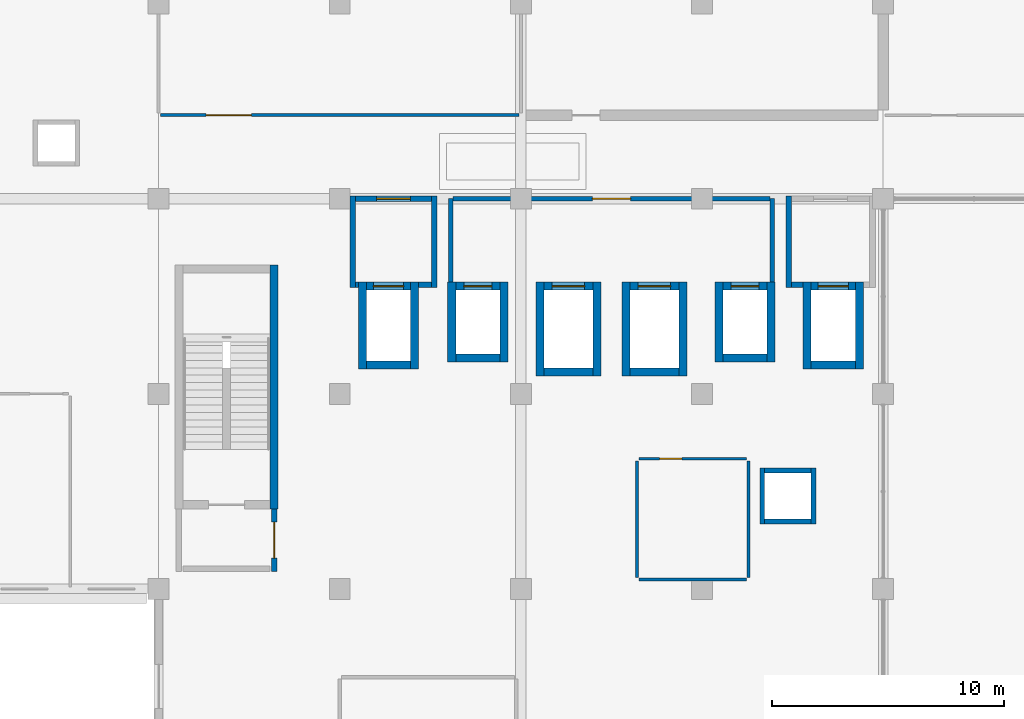
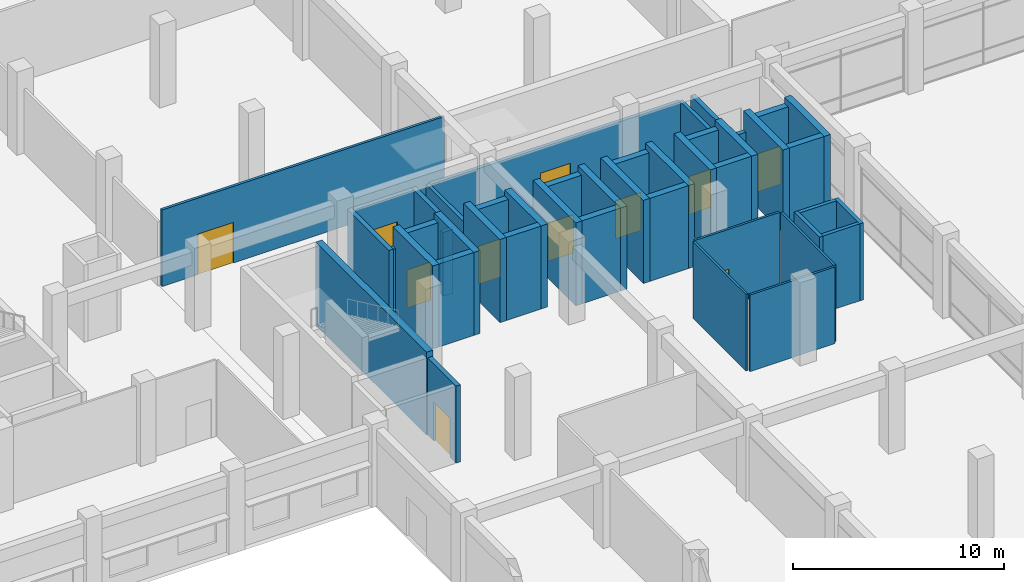
# One storey, part 48 of 74: 45 walls, 11 doors, 11 openings.
"""IFC4 building model written with IfcOpenShell, lengths in metres."""

from ifc_helpers import new_model, si_unit, direction, frame, frame_2d, origin, place, context, subcontext, project, spatial, rectangle, extrude, material, layer, layer_set, type_object, element, fill, save


model = new_model("IFC4")

# Units and contexts
model_context = context("Model", 3, precision=1e-05, world=origin(), true_north=direction((0.0, 1.0)))
body_context = subcontext(model_context, "Body", "Model", "MODEL_VIEW")
ifc_project = project(units=[si_unit("LENGTHUNIT", "METRE"), si_unit("AREAUNIT", "SQUARE_METRE"), si_unit("VOLUMEUNIT", "CUBIC_METRE"), si_unit("PLANEANGLEUNIT", "RADIAN"), si_unit("MASSUNIT", "GRAM", prefix="KILO"), si_unit("THERMODYNAMICTEMPERATUREUNIT", "KELVIN"), si_unit("POWERUNIT", "WATT")], contexts=[model_context])

# Site, building, storey
site_placement = place(None, origin())
site = spatial("IfcSite", under=ifc_project, at=site_placement, CompositionType="ELEMENT")
building_placement = place(site_placement, origin())
building = spatial("IfcBuilding", under=site, at=building_placement, Name="Srebrne Nadtorze General Hospital", CompositionType="ELEMENT")
storey_placement = place(building_placement, origin())
storey = spatial("IfcBuildingStorey", under=building, at=storey_placement, Name="L00", CompositionType="ELEMENT", Elevation=0.0)

# Wall, opening, door
ifc_material_1 = material(Name="Gypsum Healthcare Partition")
ifc_layer_1 = layer(ifc_material_1, 0.139892578125)
ifc_layer_set_1 = layer_set([ifc_layer_1], Name="Gypsum Healthcare Partition")
wall_type_1 = type_object("IfcWallType", Name="Clinical partition 140", PredefinedType="PARTITIONING", material=ifc_layer_set_1)
wall_1_placement = place(storey_placement, frame((23.485107421875, 54.0, 0.0), z_axis=(0.0, 0.0, 1.0), x_axis=(1.0, 0.0, 0.0)))
wall_1 = element("IfcWall", 1, at=wall_1_placement, inside=storey, type_object=wall_type_1, Name="Emergency Department Observation wall WL-INT-L00-1313", PredefinedType="PARTITIONING", context=body_context, shape_type="SweptSolid", body=[
    extrude(rectangle(XDim=15.429931640625, YDim=0.139892578125, at=frame_2d((7.71484375, 0.0))), origin(), (0.0, 0.0, 1.0), 4.429931640625),
])
opening_1_placement = place(wall_1_placement, frame((1.9580078125, 0.0, 0.0)))
opening_1 = element("IfcOpeningElement", 2, at=opening_1_placement, cuts=wall_1, Name="Opening D-L00-0194", PredefinedType="OPENING", context=body_context, shape_type="SweptSolid", body=[
    extrude(rectangle(XDim=1.949951171875, YDim=2.35009765625, at=frame_2d((0.97509765625, 1.175048828125))), frame((0.0, 0.08203125, 0.0), z_axis=(0.0, -1.0, 0.0), x_axis=(1.0, 0.0, 0.0)), (0.0, 0.0, 1.0), 0.163818359375),
])
ifc_material_2 = material(Name="Anodised Aluminium", Category="aluminium")
door_type_1 = type_object("IfcDoorType", Name="Double leaf door 1950x2350", OperationType="DOUBLE_DOOR_SINGLE_SWING", PredefinedType="DOOR", material=ifc_material_2)
door_1_placement = place(opening_1_placement, origin())
door_1 = element("IfcDoor", 3, at=door_1_placement, inside=storey, type_object=door_type_1, Name="Emergency Department Observation door D-L00-0194", OperationType="DOUBLE_DOOR_SINGLE_SWING", OverallHeight=2.35009765625, OverallWidth=1.949951171875, PredefinedType="DOOR", context=body_context, shape_type="SweptSolid", body=[
    extrude(rectangle(XDim=1.949951171875, YDim=2.35009765625, at=frame_2d((0.97509765625, 1.175048828125))), frame((0.0, 0.02490234375, 0.0), z_axis=(0.0, -1.0, 0.0), x_axis=(1.0, 0.0, 0.0)), (0.0, 0.0, 1.0), 0.050048828125),
])
fill(opening_1, door_1)

# Walls
ifc_material_3 = material(Name="Gypsum Healthcare Partition")
ifc_layer_2 = layer(ifc_material_3, 0.199951171875)
ifc_layer_set_2 = layer_set([ifc_layer_2], Name="Gypsum Healthcare Partition")
wall_type_2 = type_object("IfcWallType", Name="Compartment wall 200", PredefinedType="STANDARD", material=ifc_layer_set_2)
for number, where, z_axis, x_axis, name in (
    (4, (35.97998046875, 46.81005859375, 0.0), (0.0, 0.0, 1.0), (0.0, 1.0, 0.0), "Lift lobby side wall WL-INT-L00-0901"),
    (5, (49.820068359375, 46.81005859375, 0.0), (0.0, 0.0, 1.0), (0.0, 1.0, 0.0), "Lift lobby side wall WL-INT-L00-0902"),
):
    element("IfcWall", number, at=place(storey_placement, frame(where, z_axis=z_axis, x_axis=x_axis)), inside=storey, type_object=wall_type_2, Name=name, PredefinedType="STANDARD", context=body_context, shape_type="SweptSolid", body=[
        extrude(rectangle(XDim=3.58984375, YDim=0.199951171875, at=frame_2d((1.794921875, 0.0))), origin(), (0.0, 0.0, 1.0), 3.699951171875),
    ])

# Wall, opening, door
wall_2_placement = place(storey_placement, frame((36.080078125, 50.39990234375, 0.0), z_axis=(0.0, 0.0, 1.0), x_axis=(1.0, 0.0, 0.0)))
wall_2 = element("IfcWall", 6, at=wall_2_placement, inside=storey, type_object=wall_type_2, Name="Lift lobby corridor wall WL-INT-L00-0903", PredefinedType="STANDARD", context=body_context, shape_type="SweptSolid", body=[
    extrude(rectangle(XDim=13.639892578125, YDim=0.199951171875, at=frame_2d((6.81982421875, 0.0))), origin(), (0.0, 0.0, 1.0), 3.699951171875),
])
opening_2_placement = place(wall_2_placement, frame((5.9951171875, 0.0, 0.0)))
opening_2 = element("IfcOpeningElement", 7, at=opening_2_placement, cuts=wall_2, Name="Opening D-L00-0124", PredefinedType="OPENING", context=body_context, shape_type="SweptSolid", body=[
    extrude(rectangle(XDim=1.64990234375, YDim=2.25, at=frame_2d((0.824951171875, 1.125))), frame((0.0, 0.11181640625, 0.0), z_axis=(0.0, -1.0, 0.0), x_axis=(1.0, 0.0, 0.0)), (0.0, 0.0, 1.0), 0.223876953125),
])
ifc_material_4 = material(Name="Anodised Aluminium", Category="aluminium")
door_type_2 = type_object("IfcDoorType", Name="Double leaf door 1650x2250", OperationType="DOUBLE_DOOR_SINGLE_SWING", PredefinedType="DOOR", material=ifc_material_4)
door_2_placement = place(opening_2_placement, origin())
door_2 = element("IfcDoor", 8, at=door_2_placement, inside=storey, type_object=door_type_2, Name="Lift lobby corridor door D-L00-0124", OperationType="DOUBLE_DOOR_SINGLE_SWING", OverallHeight=2.25, OverallWidth=1.64990234375, PredefinedType="DOOR", context=body_context, shape_type="SweptSolid", body=[
    extrude(rectangle(XDim=1.64990234375, YDim=2.25, at=frame_2d((0.824951171875, 1.125))), frame((0.0, 0.02490234375, 0.0), z_axis=(0.0, -1.0, 0.0), x_axis=(1.0, 0.0, 0.0)), (0.0, 0.0, 1.0), 0.050048828125),
])
fill(opening_2, door_2)

# Walls
for number, where, z_axis, x_axis, name in (
    (9, (49.39990234375, 36.39990234375, 0.0), (0.0, 0.0, 1.0), (0.0, 1.0, 0.0), "MEP riser wall WL-INT-L00-0912"),
    (10, (51.60009765625, 36.39990234375, 0.0), (0.0, 0.0, 1.0), (0.0, 1.0, 0.0), "MEP riser wall WL-INT-L00-0913"),
):
    element("IfcWall", number, at=place(storey_placement, frame(where, z_axis=z_axis, x_axis=x_axis)), inside=storey, type_object=wall_type_2, Name=name, PredefinedType="STANDARD", context=body_context, shape_type="SweptSolid", body=[
        extrude(rectangle(XDim=2.400146484375, YDim=0.199951171875, at=frame_2d((1.2001953125, 0.0))), origin(), (0.0, 0.0, 1.0), 4.449951171875),
    ])
for number, where, z_axis, x_axis, name in (
    (11, (49.5, 36.5, 0.0), (0.0, 0.0, 1.0), (1.0, 0.0, 0.0), "MEP riser wall WL-INT-L00-0914"),
    (12, (49.5, 38.699951171875, 0.0), (0.0, 0.0, 1.0), (1.0, 0.0, 0.0), "MEP riser wall WL-INT-L00-0915"),
):
    element("IfcWall", number, at=place(storey_placement, frame(where, z_axis=z_axis, x_axis=x_axis)), inside=storey, type_object=wall_type_2, Name=name, PredefinedType="STANDARD", context=body_context, shape_type="SweptSolid", body=[
        extrude(rectangle(XDim=2.0, YDim=0.199951171875, at=frame_2d((1.0, 0.0))), origin(), (0.0, 0.0, 1.0), 4.449951171875),
    ])

# Wall, opening, door
ifc_material_5 = material(Name="Gypsum Healthcare Partition")
ifc_layer_3 = layer(ifc_material_5, 0.239990234375)
ifc_layer_set_3 = layer_set([ifc_layer_3], Name="Gypsum Healthcare Partition")
wall_type_3 = type_object("IfcWallType", Name="Corridor fire wall 240", PredefinedType="STANDARD", material=ifc_layer_set_3)
wall_3_placement = place(storey_placement, frame((28.375, 34.35498046875, 0.0), z_axis=(0.0, 0.0, 1.0), x_axis=(0.0, 1.0, 0.0)))
wall_3 = element("IfcWall", 13, at=wall_3_placement, inside=storey, type_object=wall_type_3, Name="Fire lobby wall ST-01 WL-INT-L00-0070", PredefinedType="STANDARD", context=body_context, shape_type="SweptSolid", body=[
    extrude(rectangle(XDim=2.695068359375, YDim=0.239990234375, at=frame_2d((1.34765625, 0.0))), origin(), (0.0, 0.0, 1.0), 4.449951171875),
])
opening_3_placement = place(wall_3_placement, frame((0.572509765625, 0.0, 0.0)))
opening_3 = element("IfcOpeningElement", 14, at=opening_3_placement, cuts=wall_3, Name="Opening D-L00-0018", PredefinedType="OPENING", context=body_context, shape_type="SweptSolid", body=[
    extrude(rectangle(XDim=1.550048828125, YDim=2.25, at=frame_2d((0.77490234375, 1.125))), frame((0.0, 0.1318359375, 0.0), z_axis=(0.0, -1.0, 0.0), x_axis=(1.0, 0.0, 0.0)), (0.0, 0.0, 1.0), 0.263916015625),
])
ifc_material_6 = material(Name="Anodised Aluminium", Category="aluminium")
door_type_3 = type_object("IfcDoorType", Name="Double leaf door 1550x2250", OperationType="DOUBLE_DOOR_SINGLE_SWING", PredefinedType="DOOR", material=ifc_material_6)
door_3_placement = place(opening_3_placement, frame((1.550048828125, 0.0, 0.0), z_axis=(0.0, 0.0, 1.0), x_axis=(-1.0, 0.0, 0.0)))
door_3 = element("IfcDoor", 15, at=door_3_placement, inside=storey, type_object=door_type_3, Name="Fire lobby door ST-01 D-L00-0018", OperationType="DOUBLE_DOOR_SINGLE_SWING", OverallHeight=2.25, OverallWidth=1.550048828125, PredefinedType="DOOR", context=body_context, shape_type="SweptSolid", body=[
    extrude(rectangle(XDim=1.550048828125, YDim=2.25, at=frame_2d((0.77490234375, 1.125))), frame((0.0, 0.02490234375, 0.0), z_axis=(0.0, -1.0, 0.0), x_axis=(1.0, 0.0, 0.0)), (0.0, 0.0, 1.0), 0.050048828125),
])
fill(opening_3, door_3)

# Walls
for number, where, z_axis, x_axis, name in (
    (16, (31.760009765625, 46.570068359375, 0.0), (0.0, 0.0, 1.0), (0.0, 1.0, 0.0), "FF lift lobby wall WL-INT-L00-0891"),
    (17, (35.27001953125, 46.570068359375, 0.0), (0.0, 0.0, 1.0), (0.0, 1.0, 0.0), "FF lift lobby wall WL-INT-L00-0892"),
):
    element("IfcWall", number, at=place(storey_placement, frame(where, z_axis=z_axis, x_axis=x_axis)), inside=storey, type_object=wall_type_3, Name=name, PredefinedType="STANDARD", context=body_context, shape_type="SweptSolid", body=[
        extrude(rectangle(XDim=3.949951171875, YDim=0.239990234375, at=frame_2d((1.97509765625, 0.0))), origin(), (0.0, 0.0, 1.0), 3.699951171875),
    ])
wall_4_placement = place(storey_placement, frame((31.8798828125, 46.68994140625, 0.0), z_axis=(0.0, 0.0, 1.0), x_axis=(1.0, 0.0, 0.0)))
element("IfcWall", 18, at=wall_4_placement, inside=storey, type_object=wall_type_3, Name="FF lift lobby return wall WL-INT-L00-0893", PredefinedType="STANDARD", context=body_context, shape_type="SweptSolid", body=[
    extrude(rectangle(XDim=0.1201171875, YDim=0.239990234375, at=frame_2d((0.06005859375, 0.0))), origin(), (0.0, 0.0, 1.0), 3.699951171875),
])
wall_5_placement = place(storey_placement, frame((34.60009765625, 46.68994140625, 0.0), z_axis=(0.0, 0.0, 1.0), x_axis=(1.0, 0.0, 0.0)))
element("IfcWall", 19, at=wall_5_placement, inside=storey, type_object=wall_type_3, Name="FF lift lobby return wall WL-INT-L00-0894", PredefinedType="STANDARD", context=body_context, shape_type="SweptSolid", body=[
    extrude(rectangle(XDim=0.5498046875, YDim=0.239990234375, at=frame_2d((0.27490234375, 0.0))), origin(), (0.0, 0.0, 1.0), 3.699951171875),
])

# Wall, opening, door
wall_6_placement = place(storey_placement, frame((31.8798828125, 50.39990234375, 0.0), z_axis=(0.0, 0.0, 1.0), x_axis=(1.0, 0.0, 0.0)))
wall_6 = element("IfcWall", 20, at=wall_6_placement, inside=storey, type_object=wall_type_3, Name="FF lift lobby front wall WL-INT-L00-0895", PredefinedType="STANDARD", context=body_context, shape_type="SweptSolid", body=[
    extrude(rectangle(XDim=3.27001953125, YDim=0.239990234375, at=frame_2d((1.635009765625, 0.0))), origin(), (0.0, 0.0, 1.0), 3.699951171875),
])
opening_4_placement = place(wall_6_placement, frame((0.909912109375, 0.0, 0.0)))
opening_4 = element("IfcOpeningElement", 21, at=opening_4_placement, cuts=wall_6, Name="Opening D-L00-0122", PredefinedType="OPENING", context=body_context, shape_type="SweptSolid", body=[
    extrude(rectangle(XDim=1.449951171875, YDim=2.199951171875, at=frame_2d((0.72509765625, 1.10009765625))), frame((0.0, 0.1318359375, 0.0), z_axis=(0.0, -1.0, 0.0), x_axis=(1.0, 0.0, 0.0)), (0.0, 0.0, 1.0), 0.263916015625),
])
ifc_material_7 = material(Name="Anodised Aluminium", Category="aluminium")
door_type_4 = type_object("IfcDoorType", Name="Double leaf door 1450x2200", OperationType="DOUBLE_DOOR_SINGLE_SWING", PredefinedType="DOOR", material=ifc_material_7)
door_4_placement = place(opening_4_placement, origin())
door_4 = element("IfcDoor", 22, at=door_4_placement, inside=storey, type_object=door_type_4, Name="Firefighting lift lobby door D-L00-0122", OperationType="DOUBLE_DOOR_SINGLE_SWING", OverallHeight=2.199951171875, OverallWidth=1.449951171875, PredefinedType="DOOR", context=body_context, shape_type="SweptSolid", body=[
    extrude(rectangle(XDim=1.449951171875, YDim=2.199951171875, at=frame_2d((0.72509765625, 1.10009765625))), frame((0.0, 0.02490234375, 0.0), z_axis=(0.0, -1.0, 0.0), x_axis=(1.0, 0.0, 0.0)), (0.0, 0.0, 1.0), 0.050048828125),
])
fill(opening_4, door_4)

# Walls
wall_7_placement = place(storey_placement, frame((50.530029296875, 46.570068359375, 0.0), z_axis=(0.0, 0.0, 1.0), x_axis=(0.0, 1.0, 0.0)))
element("IfcWall", 23, at=wall_7_placement, inside=storey, type_object=wall_type_3, Name="FF lift lobby wall WL-INT-L00-0896", PredefinedType="STANDARD", context=body_context, shape_type="SweptSolid", body=[
    extrude(rectangle(XDim=3.949951171875, YDim=0.239990234375, at=frame_2d((1.97509765625, 0.0))), origin(), (0.0, 0.0, 1.0), 3.699951171875),
])
wall_8_placement = place(storey_placement, frame((50.64990234375, 46.68994140625, 0.0), z_axis=(0.0, 0.0, 1.0), x_axis=(1.0, 0.0, 0.0)))
element("IfcWall", 24, at=wall_8_placement, inside=storey, type_object=wall_type_3, Name="FF lift lobby return wall WL-INT-L00-0898", PredefinedType="STANDARD", context=body_context, shape_type="SweptSolid", body=[
    extrude(rectangle(XDim=0.5, YDim=0.239990234375, at=frame_2d((0.25, 0.0))), origin(), (0.0, 0.0, 1.0), 3.699951171875),
])

# Wall, opening, door
ifc_material_8 = material(Name="Gypsum Healthcare Partition")
ifc_layer_4 = layer(ifc_material_8, 0.1201171875)
ifc_layer_set_4 = layer_set([ifc_layer_4], Name="Gypsum Healthcare Partition")
wall_type_4 = type_object("IfcWallType", Name="En-suite partition 120", PredefinedType="PARTITIONING", material=ifc_layer_set_4)
wall_9_placement = place(storey_placement, frame((44.0849609375, 39.199951171875, 0.0), z_axis=(0.0, 0.0, 1.0), x_axis=(1.0, 0.0, 0.0)))
wall_9 = element("IfcWall", 25, at=wall_9_placement, inside=storey, type_object=wall_type_4, Name="Accessible WC wall WL-INT-L00-1377", PredefinedType="PARTITIONING", context=body_context, shape_type="SweptSolid", body=[
    extrude(rectangle(XDim=4.630126953125, YDim=0.1201171875, at=frame_2d((2.31494140625, 0.0))), origin(), (0.0, 0.0, 1.0), 4.429931640625),
])
opening_5_placement = place(wall_9_placement, frame((0.884033203125, 0.0, 0.0)))
opening_5 = element("IfcOpeningElement", 26, at=opening_5_placement, cuts=wall_9, Name="Opening D-L00-0210", PredefinedType="OPENING", context=body_context, shape_type="SweptSolid", body=[
    extrude(rectangle(XDim=0.9599609375, YDim=2.1201171875, at=frame_2d((0.47998046875, 1.06005859375))), frame((0.0, 0.072021484375, 0.0), z_axis=(0.0, -1.0, 0.0), x_axis=(1.0, 0.0, 0.0)), (0.0, 0.0, 1.0), 0.14404296875),
])
ifc_material_9 = material(Name="Anodised Aluminium", Category="aluminium")
door_type_5 = type_object("IfcDoorType", Name="Single leaf door 960x2120", OperationType="NOTDEFINED", PredefinedType="DOOR", material=ifc_material_9)
door_5_placement = place(opening_5_placement, frame((0.9599609375, 0.0, 0.0), z_axis=(0.0, 0.0, 1.0), x_axis=(-1.0, 0.0, 0.0)))
door_5 = element("IfcDoor", 27, at=door_5_placement, inside=storey, type_object=door_type_5, Name="Accessible WC door D-L00-0210", OperationType="SINGLE_SWING_RIGHT", OverallHeight=2.1201171875, OverallWidth=0.9599609375, PredefinedType="DOOR", context=body_context, shape_type="SweptSolid", body=[
    extrude(rectangle(XDim=0.9599609375, YDim=2.1201171875, at=frame_2d((0.47998046875, 1.06005859375))), frame((0.0, 0.02490234375, 0.0), z_axis=(0.0, -1.0, 0.0), x_axis=(1.0, 0.0, 0.0)), (0.0, 0.0, 1.0), 0.050048828125),
])
fill(opening_5, door_5)

# Walls
wall_10_placement = place(storey_placement, frame((44.0849609375, 34.0, 0.0), z_axis=(0.0, 0.0, 1.0), x_axis=(1.0, 0.0, 0.0)))
element("IfcWall", 28, at=wall_10_placement, inside=storey, type_object=wall_type_4, Name="Accessible WC wall WL-INT-L00-1378", PredefinedType="PARTITIONING", context=body_context, shape_type="SweptSolid", body=[
    extrude(rectangle(XDim=4.630126953125, YDim=0.1201171875, at=frame_2d((2.31494140625, 0.0))), origin(), (0.0, 0.0, 1.0), 4.429931640625),
])
for number, where, z_axis, x_axis, name in (
    (29, (44.0, 34.0849609375, 0.0), (0.0, 0.0, 1.0), (0.0, 1.0, 0.0), "Accessible WC wall WL-INT-L00-1379"),
    (30, (48.800048828125, 34.0849609375, 0.0), (0.0, 0.0, 1.0), (0.0, 1.0, 0.0), "Accessible WC wall WL-INT-L00-1380"),
):
    element("IfcWall", number, at=place(storey_placement, frame(where, z_axis=z_axis, x_axis=x_axis)), inside=storey, type_object=wall_type_4, Name=name, PredefinedType="PARTITIONING", context=body_context, shape_type="SweptSolid", body=[
        extrude(rectangle(XDim=5.030029296875, YDim=0.1201171875, at=frame_2d((2.51513671875, 0.0))), origin(), (0.0, 0.0, 1.0), 4.429931640625),
    ])
ifc_material_10 = material(Name="Concrete C40/50", Category="concrete")
ifc_layer_5 = layer(ifc_material_10, 0.35009765625)
ifc_layer_set_5 = layer_set([ifc_layer_5], Name="Concrete C40/50")
wall_type_5 = type_object("IfcWallType", Name="Shear core wall 350", PredefinedType="SHEAR", material=ifc_layer_set_5)
wall_11_placement = place(storey_placement, frame((28.375, 37.050048828125, 0.0), z_axis=(0.0, 0.0, 1.0), x_axis=(0.0, 1.0, 0.0)))
element("IfcWall", 31, at=wall_11_placement, inside=storey, type_object=wall_type_5, Name="Stair core wall ST-01 WL-INT-L00-0066", PredefinedType="SHEAR", context=body_context, shape_type="SweptSolid", body=[
    extrude(rectangle(XDim=10.5, YDim=0.35009765625, at=frame_2d((5.25, 0.0))), origin(), (0.0, 0.0, 1.0), 4.800048828125),
])
for number, where, z_axis, x_axis, name in (
    (32, (32.175048828125, 43.06005859375, 0.0), (0.0, 0.0, 1.0), (0.0, 1.0, 0.0), "Lift shaft wall FL-01 WL-INT-L00-0470"),
    (33, (34.425048828125, 43.06005859375, 0.0), (0.0, 0.0, 1.0), (0.0, 1.0, 0.0), "Lift shaft wall FL-01 WL-INT-L00-0471"),
):
    element("IfcWall", number, at=place(storey_placement, frame(where, z_axis=z_axis, x_axis=x_axis)), inside=storey, type_object=wall_type_5, Name=name, PredefinedType="SHEAR", context=body_context, shape_type="SweptSolid", body=[
        extrude(rectangle(XDim=3.75, YDim=0.35009765625, at=frame_2d((1.875, 0.0))), origin(), (0.0, 0.0, 1.0), 4.800048828125),
    ])
wall_12_placement = place(storey_placement, frame((32.35009765625, 43.235107421875, 0.0), z_axis=(0.0, 0.0, 1.0), x_axis=(1.0, 0.0, 0.0)))
element("IfcWall", 34, at=wall_12_placement, inside=storey, type_object=wall_type_5, Name="Lift shaft back wall FL-01 WL-INT-L00-0472", PredefinedType="SHEAR", context=body_context, shape_type="SweptSolid", body=[
    extrude(rectangle(XDim=1.89990234375, YDim=0.35009765625, at=frame_2d((0.949951171875, 0.0))), origin(), (0.0, 0.0, 1.0), 4.800048828125),
])

# Wall, opening, door
wall_13_placement = place(storey_placement, frame((32.35009765625, 46.635009765625, 0.0), z_axis=(0.0, 0.0, 1.0), x_axis=(1.0, 0.0, 0.0)))
wall_13 = element("IfcWall", 35, at=wall_13_placement, inside=storey, type_object=wall_type_5, Name="Lift shaft front wall FL-01 WL-INT-L00-0473", PredefinedType="SHEAR", context=body_context, shape_type="SweptSolid", body=[
    extrude(rectangle(XDim=1.89990234375, YDim=0.35009765625, at=frame_2d((0.949951171875, 0.0))), origin(), (0.0, 0.0, 1.0), 4.449951171875),
])
opening_6_placement = place(wall_13_placement, frame((0.300048828125, 0.0, 0.0)))
opening_6 = element("IfcOpeningElement", 36, at=opening_6_placement, cuts=wall_13, Name="Opening LD-L00-002", PredefinedType="OPENING", context=body_context, shape_type="SweptSolid", body=[
    extrude(rectangle(XDim=1.300048828125, YDim=2.199951171875, at=frame_2d((0.64990234375, 1.10009765625))), frame((0.0, 0.18701171875, 0.0), z_axis=(0.0, -1.0, 0.0), x_axis=(1.0, 0.0, 0.0)), (0.0, 0.0, 1.0), 0.3740234375),
])
ifc_material_11 = material(Name="Anodised Aluminium", Category="aluminium")
door_type_6 = type_object("IfcDoorType", Name="Sliding lift door 1300x2200", OperationType="SLIDING_TO_LEFT", PredefinedType="DOOR", material=ifc_material_11)
door_6_placement = place(opening_6_placement, origin())
door_6 = element("IfcDoor", 37, at=door_6_placement, inside=storey, type_object=door_type_6, Name="Lift Landing Door LD-L00-002", OperationType="SLIDING_TO_LEFT", OverallHeight=2.199951171875, OverallWidth=1.300048828125, PredefinedType="DOOR", context=body_context, shape_type="SweptSolid", body=[
    extrude(rectangle(XDim=1.300048828125, YDim=2.199951171875, at=frame_2d((0.64990234375, 1.10009765625))), frame((0.0, 0.02490234375, 0.0), z_axis=(0.0, -1.0, 0.0), x_axis=(1.0, 0.0, 0.0)), (0.0, 0.0, 1.0), 0.050048828125),
])
fill(opening_6, door_6)

# Walls
for number, where, z_axis, x_axis, name in (
    (38, (36.02490234375, 43.360107421875, 0.0), (0.0, 0.0, 1.0), (0.0, 1.0, 0.0), "Lift shaft wall LP-01 WL-INT-L00-0510"),
    (39, (38.27490234375, 43.360107421875, 0.0), (0.0, 0.0, 1.0), (0.0, 1.0, 0.0), "Lift shaft wall LP-01 WL-INT-L00-0511"),
):
    element("IfcWall", number, at=place(storey_placement, frame(where, z_axis=z_axis, x_axis=x_axis)), inside=storey, type_object=wall_type_5, Name=name, PredefinedType="SHEAR", context=body_context, shape_type="SweptSolid", body=[
        extrude(rectangle(XDim=3.449951171875, YDim=0.35009765625, at=frame_2d((1.72509765625, 0.0))), origin(), (0.0, 0.0, 1.0), 4.800048828125),
    ])
wall_14_placement = place(storey_placement, frame((36.199951171875, 43.534912109375, 0.0), z_axis=(0.0, 0.0, 1.0), x_axis=(1.0, 0.0, 0.0)))
element("IfcWall", 40, at=wall_14_placement, inside=storey, type_object=wall_type_5, Name="Lift shaft back wall LP-01 WL-INT-L00-0512", PredefinedType="SHEAR", context=body_context, shape_type="SweptSolid", body=[
    extrude(rectangle(XDim=1.900146484375, YDim=0.35009765625, at=frame_2d((0.9501953125, 0.0))), origin(), (0.0, 0.0, 1.0), 4.800048828125),
])

# Wall, opening, door
wall_15_placement = place(storey_placement, frame((36.199951171875, 46.635009765625, 0.0), z_axis=(0.0, 0.0, 1.0), x_axis=(1.0, 0.0, 0.0)))
wall_15 = element("IfcWall", 41, at=wall_15_placement, inside=storey, type_object=wall_type_5, Name="Lift shaft front wall LP-01 WL-INT-L00-0513", PredefinedType="SHEAR", context=body_context, shape_type="SweptSolid", body=[
    extrude(rectangle(XDim=1.900146484375, YDim=0.35009765625, at=frame_2d((0.9501953125, 0.0))), origin(), (0.0, 0.0, 1.0), 4.449951171875),
])
opening_7_placement = place(wall_15_placement, frame((0.35009765625, 0.0, 0.0)))
opening_7 = element("IfcOpeningElement", 42, at=opening_7_placement, cuts=wall_15, Name="Opening LD-L00-012", PredefinedType="OPENING", context=body_context, shape_type="SweptSolid", body=[
    extrude(rectangle(XDim=1.199951171875, YDim=2.199951171875, at=frame_2d((0.60009765625, 1.10009765625))), frame((0.0, 0.18701171875, 0.0), z_axis=(0.0, -1.0, 0.0), x_axis=(1.0, 0.0, 0.0)), (0.0, 0.0, 1.0), 0.3740234375),
])
ifc_material_12 = material(Name="Anodised Aluminium", Category="aluminium")
door_type_7 = type_object("IfcDoorType", Name="Sliding lift door 1200x2200", OperationType="SLIDING_TO_LEFT", PredefinedType="DOOR", material=ifc_material_12)
door_7_placement = place(opening_7_placement, origin())
door_7 = element("IfcDoor", 43, at=door_7_placement, inside=storey, type_object=door_type_7, Name="Lift Landing Door LD-L00-012", OperationType="SLIDING_TO_LEFT", OverallHeight=2.199951171875, OverallWidth=1.199951171875, PredefinedType="DOOR", context=body_context, shape_type="SweptSolid", body=[
    extrude(rectangle(XDim=1.199951171875, YDim=2.199951171875, at=frame_2d((0.60009765625, 1.10009765625))), frame((0.0, 0.02490234375, 0.0), z_axis=(0.0, -1.0, 0.0), x_axis=(1.0, 0.0, 0.0)), (0.0, 0.0, 1.0), 0.050048828125),
])
fill(opening_7, door_7)

# Walls
for number, where, z_axis, x_axis, name in (
    (44, (39.824951171875, 42.760009765625, 0.0), (0.0, 0.0, 1.0), (0.0, 1.0, 0.0), "Lift shaft wall LS-01 WL-INT-L00-0546"),
    (45, (42.27490234375, 42.760009765625, 0.0), (0.0, 0.0, 1.0), (0.0, 1.0, 0.0), "Lift shaft wall LS-01 WL-INT-L00-0547"),
):
    element("IfcWall", number, at=place(storey_placement, frame(where, z_axis=z_axis, x_axis=x_axis)), inside=storey, type_object=wall_type_5, Name=name, PredefinedType="SHEAR", context=body_context, shape_type="SweptSolid", body=[
        extrude(rectangle(XDim=4.050048828125, YDim=0.35009765625, at=frame_2d((2.02490234375, 0.0))), origin(), (0.0, 0.0, 1.0), 4.800048828125),
    ])
wall_16_placement = place(storey_placement, frame((40.0, 42.93505859375, 0.0), z_axis=(0.0, 0.0, 1.0), x_axis=(1.0, 0.0, 0.0)))
element("IfcWall", 46, at=wall_16_placement, inside=storey, type_object=wall_type_5, Name="Lift shaft back wall LS-01 WL-INT-L00-0548", PredefinedType="SHEAR", context=body_context, shape_type="SweptSolid", body=[
    extrude(rectangle(XDim=2.10009765625, YDim=0.35009765625, at=frame_2d((1.050048828125, 0.0))), origin(), (0.0, 0.0, 1.0), 4.800048828125),
])

# Wall, opening, door
wall_17_placement = place(storey_placement, frame((40.0, 46.635009765625, 0.0), z_axis=(0.0, 0.0, 1.0), x_axis=(1.0, 0.0, 0.0)))
wall_17 = element("IfcWall", 47, at=wall_17_placement, inside=storey, type_object=wall_type_5, Name="Lift shaft front wall LS-01 WL-INT-L00-0549", PredefinedType="SHEAR", context=body_context, shape_type="SweptSolid", body=[
    extrude(rectangle(XDim=2.10009765625, YDim=0.35009765625, at=frame_2d((1.050048828125, 0.0))), origin(), (0.0, 0.0, 1.0), 4.449951171875),
])
opening_8_placement = place(wall_17_placement, frame((0.35009765625, 0.0, 0.0)))
opening_8 = element("IfcOpeningElement", 48, at=opening_8_placement, cuts=wall_17, Name="Opening LD-L00-021", PredefinedType="OPENING", context=body_context, shape_type="SweptSolid", body=[
    extrude(rectangle(XDim=1.39990234375, YDim=2.199951171875, at=frame_2d((0.699951171875, 1.10009765625))), frame((0.0, 0.18701171875, 0.0), z_axis=(0.0, -1.0, 0.0), x_axis=(1.0, 0.0, 0.0)), (0.0, 0.0, 1.0), 0.3740234375),
])
ifc_material_13 = material(Name="Anodised Aluminium", Category="aluminium")
door_type_8 = type_object("IfcDoorType", Name="Sliding lift door 1400x2200", OperationType="SLIDING_TO_LEFT", PredefinedType="DOOR", material=ifc_material_13)
door_8_placement = place(opening_8_placement, origin())
door_8 = element("IfcDoor", 49, at=door_8_placement, inside=storey, type_object=door_type_8, Name="Lift Landing Door LD-L00-021", OperationType="SLIDING_TO_LEFT", OverallHeight=2.199951171875, OverallWidth=1.39990234375, PredefinedType="DOOR", context=body_context, shape_type="SweptSolid", body=[
    extrude(rectangle(XDim=1.39990234375, YDim=2.199951171875, at=frame_2d((0.699951171875, 1.10009765625))), frame((0.0, 0.02490234375, 0.0), z_axis=(0.0, -1.0, 0.0), x_axis=(1.0, 0.0, 0.0)), (0.0, 0.0, 1.0), 0.050048828125),
])
fill(opening_8, door_8)

# Walls
for number, where, z_axis, x_axis, name in (
    (50, (43.52490234375, 42.760009765625, 0.0), (0.0, 0.0, 1.0), (0.0, 1.0, 0.0), "Lift shaft wall LS-02 WL-INT-L00-0586"),
    (51, (45.97509765625, 42.760009765625, 0.0), (0.0, 0.0, 1.0), (0.0, 1.0, 0.0), "Lift shaft wall LS-02 WL-INT-L00-0587"),
):
    element("IfcWall", number, at=place(storey_placement, frame(where, z_axis=z_axis, x_axis=x_axis)), inside=storey, type_object=wall_type_5, Name=name, PredefinedType="SHEAR", context=body_context, shape_type="SweptSolid", body=[
        extrude(rectangle(XDim=4.050048828125, YDim=0.35009765625, at=frame_2d((2.02490234375, 0.0))), origin(), (0.0, 0.0, 1.0), 4.800048828125),
    ])
wall_18_placement = place(storey_placement, frame((43.699951171875, 42.93505859375, 0.0), z_axis=(0.0, 0.0, 1.0), x_axis=(1.0, 0.0, 0.0)))
element("IfcWall", 52, at=wall_18_placement, inside=storey, type_object=wall_type_5, Name="Lift shaft back wall LS-02 WL-INT-L00-0588", PredefinedType="SHEAR", context=body_context, shape_type="SweptSolid", body=[
    extrude(rectangle(XDim=2.10009765625, YDim=0.35009765625, at=frame_2d((1.050048828125, 0.0))), origin(), (0.0, 0.0, 1.0), 4.800048828125),
])

# Wall, opening, door
wall_19_placement = place(storey_placement, frame((43.699951171875, 46.635009765625, 0.0), z_axis=(0.0, 0.0, 1.0), x_axis=(1.0, 0.0, 0.0)))
wall_19 = element("IfcWall", 53, at=wall_19_placement, inside=storey, type_object=wall_type_5, Name="Lift shaft front wall LS-02 WL-INT-L00-0589", PredefinedType="SHEAR", context=body_context, shape_type="SweptSolid", body=[
    extrude(rectangle(XDim=2.10009765625, YDim=0.35009765625, at=frame_2d((1.050048828125, 0.0))), origin(), (0.0, 0.0, 1.0), 4.449951171875),
])
opening_9_placement = place(wall_19_placement, frame((0.35009765625, 0.0, 0.0)))
opening_9 = element("IfcOpeningElement", 54, at=opening_9_placement, cuts=wall_19, Name="Opening LD-L00-031", PredefinedType="OPENING", context=body_context, shape_type="SweptSolid", body=[
    extrude(rectangle(XDim=1.39990234375, YDim=2.199951171875, at=frame_2d((0.699951171875, 1.10009765625))), frame((0.0, 0.18701171875, 0.0), z_axis=(0.0, -1.0, 0.0), x_axis=(1.0, 0.0, 0.0)), (0.0, 0.0, 1.0), 0.3740234375),
])
door_9_placement = place(opening_9_placement, origin())
door_9 = element("IfcDoor", 55, at=door_9_placement, inside=storey, type_object=door_type_8, Name="Lift Landing Door LD-L00-031", OperationType="SLIDING_TO_LEFT", OverallHeight=2.199951171875, OverallWidth=1.39990234375, PredefinedType="DOOR", context=body_context, shape_type="SweptSolid", body=[
    extrude(rectangle(XDim=1.39990234375, YDim=2.199951171875, at=frame_2d((0.699951171875, 1.10009765625))), frame((0.0, 0.02490234375, 0.0), z_axis=(0.0, -1.0, 0.0), x_axis=(1.0, 0.0, 0.0)), (0.0, 0.0, 1.0), 0.050048828125),
])
fill(opening_9, door_9)

# Walls
for number, where, z_axis, x_axis, name in (
    (56, (47.52490234375, 43.360107421875, 0.0), (0.0, 0.0, 1.0), (0.0, 1.0, 0.0), "Lift shaft wall LP-02 WL-INT-L00-0626"),
    (57, (49.77490234375, 43.360107421875, 0.0), (0.0, 0.0, 1.0), (0.0, 1.0, 0.0), "Lift shaft wall LP-02 WL-INT-L00-0627"),
):
    element("IfcWall", number, at=place(storey_placement, frame(where, z_axis=z_axis, x_axis=x_axis)), inside=storey, type_object=wall_type_5, Name=name, PredefinedType="SHEAR", context=body_context, shape_type="SweptSolid", body=[
        extrude(rectangle(XDim=3.449951171875, YDim=0.35009765625, at=frame_2d((1.72509765625, 0.0))), origin(), (0.0, 0.0, 1.0), 4.800048828125),
    ])
wall_20_placement = place(storey_placement, frame((47.699951171875, 43.534912109375, 0.0), z_axis=(0.0, 0.0, 1.0), x_axis=(1.0, 0.0, 0.0)))
element("IfcWall", 58, at=wall_20_placement, inside=storey, type_object=wall_type_5, Name="Lift shaft back wall LP-02 WL-INT-L00-0628", PredefinedType="SHEAR", context=body_context, shape_type="SweptSolid", body=[
    extrude(rectangle(XDim=1.900146484375, YDim=0.35009765625, at=frame_2d((0.9501953125, 0.0))), origin(), (0.0, 0.0, 1.0), 4.800048828125),
])

# Wall, opening, door
wall_21_placement = place(storey_placement, frame((47.699951171875, 46.635009765625, 0.0), z_axis=(0.0, 0.0, 1.0), x_axis=(1.0, 0.0, 0.0)))
wall_21 = element("IfcWall", 59, at=wall_21_placement, inside=storey, type_object=wall_type_5, Name="Lift shaft front wall LP-02 WL-INT-L00-0629", PredefinedType="SHEAR", context=body_context, shape_type="SweptSolid", body=[
    extrude(rectangle(XDim=1.900146484375, YDim=0.35009765625, at=frame_2d((0.9501953125, 0.0))), origin(), (0.0, 0.0, 1.0), 4.449951171875),
])
opening_10_placement = place(wall_21_placement, frame((0.35009765625, 0.0, 0.0)))
opening_10 = element("IfcOpeningElement", 60, at=opening_10_placement, cuts=wall_21, Name="Opening LD-L00-041", PredefinedType="OPENING", context=body_context, shape_type="SweptSolid", body=[
    extrude(rectangle(XDim=1.199951171875, YDim=2.199951171875, at=frame_2d((0.60009765625, 1.10009765625))), frame((0.0, 0.18701171875, 0.0), z_axis=(0.0, -1.0, 0.0), x_axis=(1.0, 0.0, 0.0)), (0.0, 0.0, 1.0), 0.3740234375),
])
door_10_placement = place(opening_10_placement, origin())
door_10 = element("IfcDoor", 61, at=door_10_placement, inside=storey, type_object=door_type_7, Name="Lift Landing Door LD-L00-041", OperationType="SLIDING_TO_LEFT", OverallHeight=2.199951171875, OverallWidth=1.199951171875, PredefinedType="DOOR", context=body_context, shape_type="SweptSolid", body=[
    extrude(rectangle(XDim=1.199951171875, YDim=2.199951171875, at=frame_2d((0.60009765625, 1.10009765625))), frame((0.0, 0.02490234375, 0.0), z_axis=(0.0, -1.0, 0.0), x_axis=(1.0, 0.0, 0.0)), (0.0, 0.0, 1.0), 0.050048828125),
])
fill(opening_10, door_10)

# Walls
for number, where, z_axis, x_axis, name in (
    (62, (51.324951171875, 43.06005859375, 0.0), (0.0, 0.0, 1.0), (0.0, 1.0, 0.0), "Lift shaft wall FL-02 WL-INT-L00-0662"),
    (63, (53.574951171875, 43.06005859375, 0.0), (0.0, 0.0, 1.0), (0.0, 1.0, 0.0), "Lift shaft wall FL-02 WL-INT-L00-0663"),
):
    element("IfcWall", number, at=place(storey_placement, frame(where, z_axis=z_axis, x_axis=x_axis)), inside=storey, type_object=wall_type_5, Name=name, PredefinedType="SHEAR", context=body_context, shape_type="SweptSolid", body=[
        extrude(rectangle(XDim=3.75, YDim=0.35009765625, at=frame_2d((1.875, 0.0))), origin(), (0.0, 0.0, 1.0), 4.800048828125),
    ])
wall_22_placement = place(storey_placement, frame((51.5, 43.235107421875, 0.0), z_axis=(0.0, 0.0, 1.0), x_axis=(1.0, 0.0, 0.0)))
element("IfcWall", 64, at=wall_22_placement, inside=storey, type_object=wall_type_5, Name="Lift shaft back wall FL-02 WL-INT-L00-0664", PredefinedType="SHEAR", context=body_context, shape_type="SweptSolid", body=[
    extrude(rectangle(XDim=1.89990234375, YDim=0.35009765625, at=frame_2d((0.949951171875, 0.0))), origin(), (0.0, 0.0, 1.0), 4.800048828125),
])

# Wall, opening, door
wall_23_placement = place(storey_placement, frame((51.5, 46.635009765625, 0.0), z_axis=(0.0, 0.0, 1.0), x_axis=(1.0, 0.0, 0.0)))
wall_23 = element("IfcWall", 65, at=wall_23_placement, inside=storey, type_object=wall_type_5, Name="Lift shaft front wall FL-02 WL-INT-L00-0665", PredefinedType="SHEAR", context=body_context, shape_type="SweptSolid", body=[
    extrude(rectangle(XDim=1.89990234375, YDim=0.35009765625, at=frame_2d((0.949951171875, 0.0))), origin(), (0.0, 0.0, 1.0), 4.449951171875),
])
opening_11_placement = place(wall_23_placement, frame((0.300048828125, 0.0, 0.0)))
opening_11 = element("IfcOpeningElement", 66, at=opening_11_placement, cuts=wall_23, Name="Opening LD-L00-050", PredefinedType="OPENING", context=body_context, shape_type="SweptSolid", body=[
    extrude(rectangle(XDim=1.300048828125, YDim=2.199951171875, at=frame_2d((0.64990234375, 1.10009765625))), frame((0.0, 0.18701171875, 0.0), z_axis=(0.0, -1.0, 0.0), x_axis=(1.0, 0.0, 0.0)), (0.0, 0.0, 1.0), 0.3740234375),
])
door_11_placement = place(opening_11_placement, origin())
door_11 = element("IfcDoor", 67, at=door_11_placement, inside=storey, type_object=door_type_6, Name="Lift Landing Door LD-L00-050", OperationType="SLIDING_TO_LEFT", OverallHeight=2.199951171875, OverallWidth=1.300048828125, PredefinedType="DOOR", context=body_context, shape_type="SweptSolid", body=[
    extrude(rectangle(XDim=1.300048828125, YDim=2.199951171875, at=frame_2d((0.64990234375, 1.10009765625))), frame((0.0, 0.02490234375, 0.0), z_axis=(0.0, -1.0, 0.0), x_axis=(1.0, 0.0, 0.0)), (0.0, 0.0, 1.0), 0.050048828125),
])
fill(opening_11, door_11)

save(model, "model.ifc")
